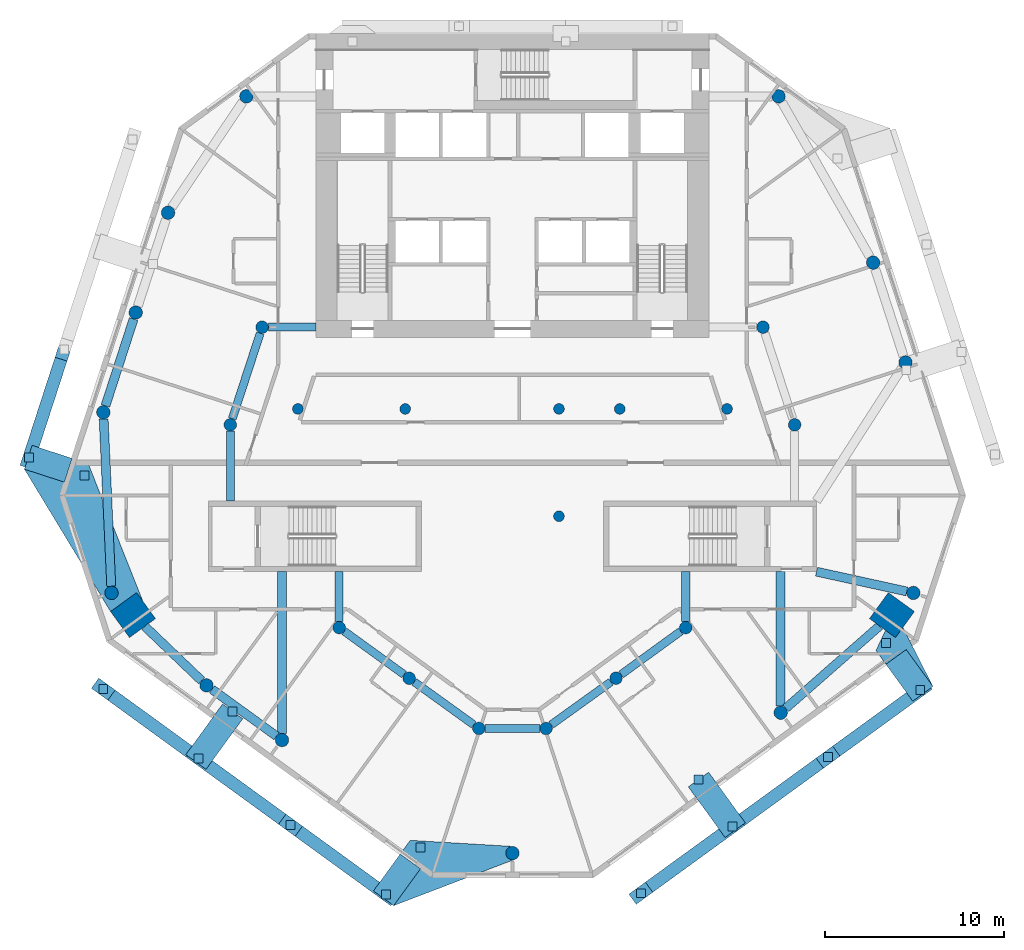
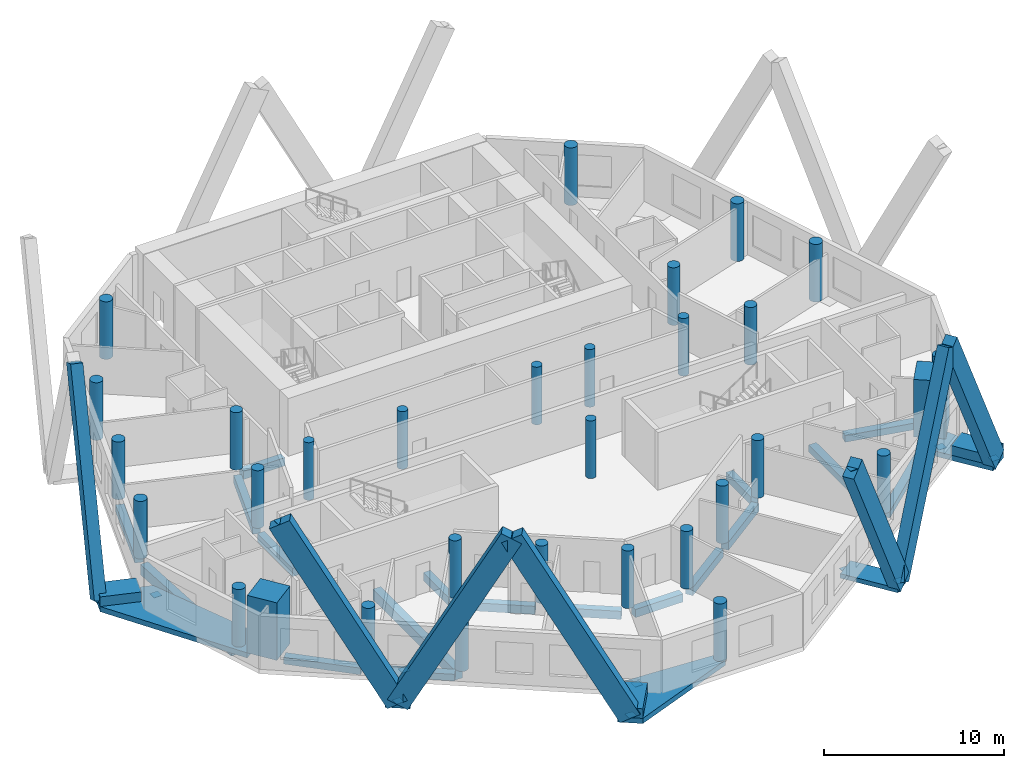
# One storey, part 1 of 10: 31 columns, 18 beams, 15 members, 14 discrete accessories.
"""IFC4 building model written with IfcOpenShell, lengths in metres."""

from ifc_helpers import new_model, si_unit, direction, frame, origin, origin_2d, place, context, subcontext, project, spatial, polyline, rectangle, circle, outline, extrude, material, layer, layer_set, material_profile, profile_set, type_object, element, aggregate, save


model = new_model("IFC4")

# Units and contexts
model_context = context("Model", 3, precision=1e-05, world=origin(), true_north=direction((0.0, 1.0)))
body_context = subcontext(model_context, "Body", "Model", "MODEL_VIEW")
ifc_project = project(units=[si_unit("LENGTHUNIT", "METRE"), si_unit("AREAUNIT", "SQUARE_METRE"), si_unit("VOLUMEUNIT", "CUBIC_METRE"), si_unit("PLANEANGLEUNIT", "RADIAN"), si_unit("MASSUNIT", "GRAM", prefix="KILO")], contexts=[model_context])

# Site, building, storey
site_placement = place(None, origin())
site = spatial("IfcSite", under=ifc_project, at=site_placement, CompositionType="ELEMENT")
building_placement = place(site_placement, origin())
building = spatial("IfcBuilding", under=site, at=building_placement, Name="White Candle Pilgrim Tower", CompositionType="ELEMENT")
storey_placement = place(building_placement, frame((0.0, 0.0, 160.300048828125)))
storey = spatial("IfcBuildingStorey", under=building, at=storey_placement, Name="L36", CompositionType="ELEMENT", Elevation=160.300048828125)

# Columns
ifc_material_1 = material(Name="Concrete C70/85", Category="concrete")
ifc_material_profile_1 = material_profile(ifc_material_1, circle(Radius=0.300048828125, at=origin_2d()), Name="RC-COL D600")
ifc_profile_set_1 = profile_set([ifc_material_profile_1], Name="Concrete C70/85")
column_type_1 = type_object("IfcColumnType", Name="Interior column RC-COL D600 C70/85", PredefinedType="COLUMN", material=ifc_profile_set_1)
for number, where, z_axis, x_axis, name in (
    (1, (58.0, 67.0, 0.0), (0.0, 0.0, 1.0), (1.0, 0.0, 0.0), "L36 column I01"),
    (2, (64.0, 67.0, 0.0), (0.0, 0.0, 1.0), (1.0, 0.0, 0.0), "L36 column I02"),
    (3, (72.60009765625, 61.0, 0.0), (0.0, 0.0, 1.0), (1.0, 0.0, 0.0), "L36 column I03"),
    (4, (72.60009765625, 67.0, 0.0), (0.0, 0.0, 1.0), (1.0, 0.0, 0.0), "L36 column I04"),
    (5, (76.0, 67.0, 0.0), (0.0, 0.0, 1.0), (1.0, 0.0, 0.0), "L36 column I05"),
    (6, (82.0, 67.0, 0.0), (0.0, 0.0, 1.0), (1.0, 0.0, 0.0), "L36 column I06"),
):
    element("IfcColumn", number, at=place(storey_placement, frame(where, z_axis=z_axis, x_axis=x_axis)), inside=storey, type_object=column_type_1, Name=name, PredefinedType="COLUMN", context=body_context, shape_type="SweptSolid", body=[
        extrude(circle(Radius=0.300048828125, at=origin_2d()), origin(), (0.0, 0.0, 1.0), 3.89990234375),
    ])
ifc_material_profile_2 = material_profile(ifc_material_1, rectangle(XDim=1.800048828125, YDim=1.800048828125, at=origin_2d()), Name="RC 1800x1800")
ifc_profile_set_2 = profile_set([ifc_material_profile_2], Name="Concrete C70/85")
column_type_2 = type_object("IfcColumnType", Name="Mega column RC 1800x1800 C70/85", PredefinedType="COLUMN", material=ifc_profile_set_2)
for number, where, z_axis, x_axis, name in (
    (7, (48.780029296875, 55.469970703125, 0.0), (0.0, 0.0, 1.0), (-0.809016994375, -0.587785252292, 0.0), "L36 mega column T02"),
    (8, (91.219970703125, 55.469970703125, 0.0), (0.0, 0.0, 1.0), (0.809016994375, -0.587785252292, 0.0), "L36 mega column T07"),
):
    element("IfcColumn", number, at=place(storey_placement, frame(where, z_axis=z_axis, x_axis=x_axis)), inside=storey, type_object=column_type_2, Name=name, PredefinedType="COLUMN", context=body_context, shape_type="SweptSolid", body=[
        extrude(rectangle(XDim=1.800048828125, YDim=1.800048828125, at=origin_2d()), origin(), (0.0, 0.0, 1.0), 3.89990234375),
    ])
ifc_material_profile_3 = material_profile(ifc_material_1, circle(Radius=0.375, at=origin_2d()), Name="RC-COL D750")
ifc_profile_set_3 = profile_set([ifc_material_profile_3], Name="Concrete C70/85")
column_type_3 = type_object("IfcColumnType", Name="Perimeter column RC-COL D750 C70/85", PredefinedType="COLUMN", material=ifc_profile_set_3)
for number, where, z_axis, x_axis, name in (
    (9, (47.580078125, 56.7099609375, 0.0), (0.0, 0.0, 1.0), (1.0, 0.0, 0.0), "L36 column T01"),
    (10, (52.889892578125, 51.5400390625, 0.0), (0.0, 0.0, 1.0), (1.0, 0.0, 0.0), "L36 column T03"),
    (11, (57.110107421875, 48.47998046875, 0.0), (0.0, 0.0, 1.0), (1.0, 0.0, 0.0), "L36 column T04"),
    (12, (70.0, 42.159912109375, 0.0), (0.0, 0.0, 1.0), (1.0, 0.0, 0.0), "L36 column T05"),
    (13, (85.0, 50.010009765625, 0.0), (0.0, 0.0, 1.0), (1.0, 0.0, 0.0), "L36 column T06"),
    (14, (92.419921875, 56.7099609375, 0.0), (0.0, 0.0, 1.0), (1.0, 0.0, 0.0), "L36 column T08"),
    (15, (91.97998046875, 69.60009765625, 0.0), (0.0, 0.0, 1.0), (1.0, 0.0, 0.0), "L36 column T09"),
    (16, (90.169921875, 75.179931640625, 0.0), (0.0, 0.0, 1.0), (1.0, 0.0, 0.0), "L36 column T10"),
    (17, (84.8798828125, 84.47998046875, 0.0), (0.0, 0.0, 1.0), (1.0, 0.0, 0.0), "L36 column T11"),
    (18, (55.1201171875, 84.47998046875, 0.0), (0.0, 0.0, 1.0), (1.0, 0.0, 0.0), "L36 column T12"),
    (19, (50.739990234375, 77.969970703125, 0.0), (0.0, 0.0, 1.0), (1.0, 0.0, 0.0), "L36 column T13"),
    (20, (48.929931640625, 72.389892578125, 0.0), (0.0, 0.0, 1.0), (1.0, 0.0, 0.0), "L36 column T14"),
    (21, (47.1201171875, 66.81005859375, 0.0), (0.0, 0.0, 1.0), (1.0, 0.0, 0.0), "L36 column T15"),
):
    element("IfcColumn", number, at=place(storey_placement, frame(where, z_axis=z_axis, x_axis=x_axis)), inside=storey, type_object=column_type_3, Name=name, PredefinedType="COLUMN", context=body_context, shape_type="SweptSolid", body=[
        extrude(circle(Radius=0.375, at=origin_2d()), origin(), (0.0, 0.0, 1.0), 3.89990234375),
    ])
ifc_material_profile_4 = material_profile(ifc_material_1, circle(Radius=0.35009765625, at=origin_2d()), Name="RC-COL D700")
ifc_profile_set_4 = profile_set([ifc_material_profile_4], Name="Concrete C70/85")
column_type_4 = type_object("IfcColumnType", Name="Ring column RC-COL D700 C70/85", PredefinedType="COLUMN", material=ifc_profile_set_4)
for number, where, z_axis, x_axis, name in (
    (22, (60.31005859375, 54.77001953125, 0.0), (0.0, 0.0, 1.0), (1.0, 0.0, 0.0), "L36 column R01"),
    (23, (64.219970703125, 51.93994140625, 0.0), (0.0, 0.0, 1.0), (1.0, 0.0, 0.0), "L36 column R02"),
    (24, (68.1201171875, 49.1298828125, 0.0), (0.0, 0.0, 1.0), (1.0, 0.0, 0.0), "L36 column R03"),
    (25, (71.8798828125, 49.1298828125, 0.0), (0.0, 0.0, 1.0), (1.0, 0.0, 0.0), "L36 column R04"),
    (26, (75.7900390625, 51.93994140625, 0.0), (0.0, 0.0, 1.0), (1.0, 0.0, 0.0), "L36 column R05"),
    (27, (79.68994140625, 54.77001953125, 0.0), (0.0, 0.0, 1.0), (1.0, 0.0, 0.0), "L36 column R06"),
    (28, (85.780029296875, 66.110107421875, 0.0), (0.0, 0.0, 1.0), (1.0, 0.0, 0.0), "L36 column R07"),
    (29, (84.010009765625, 71.570068359375, 0.0), (0.0, 0.0, 1.0), (1.0, 0.0, 0.0), "L36 column R08"),
    (30, (56.0, 71.570068359375, 0.0), (0.0, 0.0, 1.0), (1.0, 0.0, 0.0), "L36 column R09"),
    (31, (54.219970703125, 66.110107421875, 0.0), (0.0, 0.0, 1.0), (1.0, 0.0, 0.0), "L36 column R10"),
):
    element("IfcColumn", number, at=place(storey_placement, frame(where, z_axis=z_axis, x_axis=x_axis)), inside=storey, type_object=column_type_4, Name=name, PredefinedType="COLUMN", context=body_context, shape_type="SweptSolid", body=[
        extrude(circle(Radius=0.35009765625, at=origin_2d()), origin(), (0.0, 0.0, 1.0), 3.89990234375),
    ])

# Member
ifc_material_2 = material(Name="Concrete C70/85, white", Category="concrete")
ifc_material_profile_5 = material_profile(ifc_material_2, rectangle(XDim=0.699951171875, YDim=1.300048828125, at=origin_2d()), Name="RC-DG 700x1300")
ifc_profile_set_5 = profile_set([ifc_material_profile_5], Name="Concrete C70/85, white")
member_type_1 = type_object("IfcMemberType", Name="Exoskeleton diagonal RC-DG 700x1300 C70/85", PredefinedType="BRACE", material=ifc_profile_set_5)
member_1_placement = place(storey_placement, frame((82.310302734375, 43.645751953125, 0.0), z_axis=(-0.385723367101, -0.280235940966, 0.879025199561), x_axis=(0.587773598304, -0.809025461365, 0.0)))
member_1 = element("IfcMember", 32, at=member_1_placement, inside=storey, type_object=member_type_1, Name="Exoskeleton diagonal EX148", PredefinedType="BRACE", context=body_context, shape_type="SweptSolid", body=[
    extrude(rectangle(XDim=0.699951171875, YDim=1.300048828125, at=origin_2d()), origin(), (0.0, 0.0, 1.0), 13.31005859375),
])

member_2_placement = place(storey_placement, frame((82.310302734375, 43.645751953125, 0.0), z_axis=(0.397408262481, 0.288754862384, 0.871026579595), x_axis=(-0.58781304349, 0.808996802159, 0.0)))
member_2 = element("IfcMember", 33, at=member_2_placement, inside=storey, type_object=member_type_1, Name="Exoskeleton diagonal EX149", PredefinedType="BRACE", context=body_context, shape_type="SweptSolid", body=[
    extrude(rectangle(XDim=0.699951171875, YDim=1.300048828125, at=origin_2d()), origin(), (0.0, 0.0, 1.0), 13.432373046875),
])

member_3_placement = place(storey_placement, frame((92.80419921875, 51.270263671875, 0.0), z_axis=(-0.386982261686, -0.281156778154, 0.878177428108), x_axis=(0.587782115386, -0.809019273462, 0.0)))
member_3 = element("IfcMember", 34, at=member_3_placement, inside=storey, type_object=member_type_1, Name="Exoskeleton diagonal EX150", PredefinedType="BRACE", context=body_context, shape_type="SweptSolid", body=[
    extrude(rectangle(XDim=0.699951171875, YDim=1.300048828125, at=origin_2d()), origin(), (0.0, 0.0, 1.0), 13.322998046875),
])

member_4_placement = place(storey_placement, frame((52.442626953125, 47.4580078125, 0.0), z_axis=(-0.396803222412, 0.288296516572, 0.871454141774), x_axis=(-0.587788054918, -0.809014958141, 0.0)))
member_4 = element("IfcMember", 35, at=member_4_placement, inside=storey, type_object=member_type_1, Name="Exoskeleton diagonal EX160", PredefinedType="BRACE", context=body_context, shape_type="SweptSolid", body=[
    extrude(rectangle(XDim=0.699951171875, YDim=1.300048828125, at=origin_2d()), origin(), (0.0, 0.0, 1.0), 13.42578125),
])

member_5_placement = place(storey_placement, frame((52.442626953125, 47.4580078125, 0.0), z_axis=(0.386360074568, -0.280704142626, 0.878596083017), x_axis=(0.587781301557, 0.809019864738, 0.0)))
member_5 = element("IfcMember", 36, at=member_5_placement, inside=storey, type_object=member_type_1, Name="Exoskeleton diagonal EX161", PredefinedType="BRACE", context=body_context, shape_type="SweptSolid", body=[
    extrude(rectangle(XDim=0.699951171875, YDim=1.300048828125, at=origin_2d()), origin(), (0.0, 0.0, 1.0), 13.316650390625),
])

member_6_placement = place(storey_placement, frame((62.936767578125, 39.833740234375, 0.0), z_axis=(-0.39803187834, 0.289177153784, 0.870601629653), x_axis=(-0.587772037579, -0.809026595261, 0.0)))
member_6 = element("IfcMember", 37, at=member_6_placement, inside=storey, type_object=member_type_1, Name="Exoskeleton diagonal EX162", PredefinedType="BRACE", context=body_context, shape_type="SweptSolid", body=[
    extrude(rectangle(XDim=0.699951171875, YDim=1.300048828125, at=origin_2d()), origin(), (0.0, 0.0, 1.0), 13.43896484375),
])

member_7_placement = place(storey_placement, frame((42.968505859375, 64.2802734375, 0.0), z_axis=(0.147513051825, 0.453980814186, 0.878715721888), x_axis=(-0.951052980016, 0.30902787771, 0.0)))
member_7 = element("IfcMember", 38, at=member_7_placement, inside=storey, type_object=member_type_1, Name="Exoskeleton diagonal EX174", PredefinedType="BRACE", context=body_context, shape_type="SweptSolid", body=[
    extrude(rectangle(XDim=0.699951171875, YDim=1.300048828125, at=origin_2d()), origin(), (0.0, 0.0, 1.0), 13.31494140625),
])

ifc_layer_1 = layer(ifc_material_2, 0.300048828125)
ifc_layer_set_1 = layer_set([ifc_layer_1], Name="Node tie strut 3300x1400x300 C70/85")
member_type_2 = type_object("IfcMemberType", Name="Node tie strut 3300x1400x300 C70/85", PredefinedType="STRUT", material=ifc_layer_set_1)
member_8_placement = place(storey_placement, frame((0.0, 0.0, -0.35009765625)))
member_8 = element("IfcMember", 39, at=member_8_placement, inside=storey, type_object=member_type_2, Name="Node tie strut NC120", PredefinedType="STRUT", context=body_context, shape_type="SweptSolid", body=[
    extrude(outline(polyline([(47.52294921875, 55.669189453125), (48.97900390625, 56.72705078125), (49.33056640625, 56.243408203125), (46.275634765625, 63.941650390625), (43.13720703125, 64.96142578125), (42.70458984375, 63.6298828125), (47.52294921875, 55.669189453125)])), origin(), (0.0, 0.0, 1.0), 0.35009765625),
])

member_9_placement = place(storey_placement, origin())
element("IfcMember", 40, at=member_9_placement, inside=storey, type_object=member_type_2, Name="Node tie strut NC120", PredefinedType="STRUT", context=body_context, shape_type="SweptSolid", body=[
    extrude(outline(polyline([(44.939697265625, 62.90380859375), (45.372314453125, 64.235107421875), (43.13720703125, 64.96142578125), (42.70458984375, 63.6298828125), (44.939697265625, 62.90380859375)])), origin(), (0.0, 0.0, 1.0), 0.64990234375),
])

ifc_layer_2 = layer(ifc_material_2, 0.300048828125)
ifc_layer_set_2 = layer_set([ifc_layer_2], Name="Node tie strut 3500x1400x300 C70/85")
member_type_3 = type_object("IfcMemberType", Name="Node tie strut 3500x1400x300 C70/85", PredefinedType="STRUT", material=ifc_layer_set_2)
member_10_placement = place(storey_placement, frame((81.4287109375, 44.859375, -0.30029296875), z_axis=(0.0, 0.0, 1.0), x_axis=(0.809016994375, 0.587785252292, 0.0)))
member_10 = element("IfcMember", 41, at=member_10_placement, inside=storey, type_object=member_type_3, Name="Node tie strut NC115", PredefinedType="STRUT", context=body_context, shape_type="SweptSolid", body=[
    extrude(rectangle(XDim=1.39990234375, YDim=3.5, at=origin_2d()), origin(), (0.0, 0.0, 1.0), 0.300048828125),
])

member_11_placement = place(storey_placement, frame((0.0, 0.0, -0.35009765625)))
member_11 = element("IfcMember", 42, at=member_11_placement, inside=storey, type_object=member_type_3, Name="Node tie strut NC116", PredefinedType="STRUT", context=body_context, shape_type="SweptSolid", body=[
    extrude(outline(polyline([(92.385009765625, 50.656494140625), (93.517578125, 51.4794921875), (91.83203125, 54.78125), (91.419189453125, 54.212890625), (90.86181640625, 54.617919921875), (90.32763671875, 53.488037109375), (92.385009765625, 50.656494140625)])), origin(), (0.0, 0.0, 1.0), 0.35009765625),
])

member_12_placement = place(storey_placement, origin())
element("IfcMember", 43, at=member_12_placement, inside=storey, type_object=member_type_3, Name="Node tie strut NC116", PredefinedType="STRUT", context=body_context, shape_type="SweptSolid", body=[
    extrude(outline(polyline([(92.385009765625, 50.656494140625), (93.517578125, 51.4794921875), (92.018798828125, 53.542236328125), (90.885986328125, 52.719482421875), (92.385009765625, 50.656494140625)])), origin(), (0.0, 0.0, 1.0), 0.64990234375),
])

member_13_placement = place(storey_placement, frame((53.324462890625, 48.67138671875, -0.30029296875), z_axis=(0.0, 0.0, 1.0), x_axis=(0.809016994375, -0.587785252292, 0.0)))
member_13 = element("IfcMember", 44, at=member_13_placement, inside=storey, type_object=member_type_3, Name="Node tie strut NC117", PredefinedType="STRUT", context=body_context, shape_type="SweptSolid", body=[
    extrude(rectangle(XDim=1.39990234375, YDim=3.5, at=origin_2d()), origin(), (0.0, 0.0, 1.0), 0.300048828125),
])

member_14_placement = place(storey_placement, frame((0.0, 0.0, -0.35009765625)))
member_14 = element("IfcMember", 45, at=member_14_placement, inside=storey, type_object=member_type_3, Name="Node tie strut NC118", PredefinedType="STRUT", context=body_context, shape_type="SweptSolid", body=[
    extrude(outline(polyline([(63.35595703125, 39.219970703125), (70.1435546875, 41.8134765625), (70.12060546875, 41.804931640625), (70.09716796875, 41.7978515625), (70.0732421875, 41.792236328125), (70.048828125, 41.7880859375), (70.0244140625, 41.785888671875), (70.0, 41.784912109375), (69.9755859375, 41.785888671875), (69.951171875, 41.7880859375), (69.9267578125, 41.792236328125), (69.90283203125, 41.7978515625), (69.87939453125, 41.804931640625), (69.8564453125, 41.8134765625), (69.833984375, 41.82373046875), (69.8125, 41.835205078125), (69.791748046875, 41.84814453125), (69.771728515625, 41.862548828125), (69.752685546875, 41.878173828125), (69.73486328125, 41.894775390625), (69.718017578125, 41.91259765625), (69.702392578125, 41.931640625), (69.688232421875, 41.95166015625), (69.67529296875, 41.972412109375), (69.663818359375, 41.994140625), (69.653564453125, 42.0166015625), (69.64501953125, 42.03955078125), (69.6376953125, 42.06298828125), (69.632080078125, 42.0869140625), (69.628173828125, 42.111083984375), (69.625732421875, 42.135498046875), (69.625, 42.159912109375), (69.625732421875, 42.1845703125), (69.628173828125, 42.208984375), (69.632080078125, 42.233154296875), (69.6376953125, 42.257080078125), (69.64501953125, 42.280517578125), (69.653564453125, 42.303466796875), (69.663818359375, 42.325927734375), (69.67529296875, 42.347412109375), (69.688232421875, 42.368408203125), (69.702392578125, 42.38818359375), (69.718017578125, 42.4072265625), (69.73486328125, 42.42529296875), (69.752685546875, 42.44189453125), (69.771728515625, 42.45751953125), (69.791748046875, 42.4716796875), (69.8125, 42.48486328125), (69.833984375, 42.496337890625), (69.8564453125, 42.506591796875), (69.87939453125, 42.51513671875), (69.90283203125, 42.522216796875), (69.9267578125, 42.52783203125), (69.951171875, 42.53173828125), (69.9755859375, 42.5341796875), (70.0, 42.534912109375), (70.0244140625, 42.5341796875), (64.280517578125, 42.87451171875), (62.223388671875, 40.04296875), (63.35595703125, 39.219970703125)])), origin(), (0.0, 0.0, 1.0), 0.35009765625),
])

member_15_placement = place(storey_placement, origin())
element("IfcMember", 46, at=member_15_placement, inside=storey, type_object=member_type_3, Name="Node tie strut NC118", PredefinedType="STRUT", context=body_context, shape_type="SweptSolid", body=[
    extrude(outline(polyline([(63.35595703125, 39.219970703125), (64.85498046875, 41.282958984375), (63.72216796875, 42.10595703125), (62.223388671875, 40.04296875), (63.35595703125, 39.219970703125)])), origin(), (0.0, 0.0, 1.0), 0.64990234375),
])

# Beams
ifc_material_3 = material(Name="Concrete C50/60", Category="concrete")
ifc_material_profile_6 = material_profile(ifc_material_3, rectangle(XDim=0.449951171875, YDim=0.550048828125, at=origin_2d()), Name="RC-BM 450x550")
ifc_profile_set_6 = profile_set([ifc_material_profile_6], Name="Concrete C50/60")
beam_type_1 = type_object("IfcBeamType", Name="Ring beam RC-BM 450x550 C50/60", PredefinedType="BEAM", material=ifc_profile_set_6)
beam_1_placement = place(storey_placement, frame((60.593505859375, 54.56494140625, -0.574951171875), z_axis=(0.810043858436, -0.586369292691, 0.0), x_axis=(0.586369292691, 0.810043858436, 0.0)))
element("IfcBeam", 47, at=beam_1_placement, inside=storey, type_object=beam_type_1, Name="L36 ring beam R01", PredefinedType="BEAM", context=body_context, shape_type="SweptSolid", body=[
    extrude(rectangle(XDim=0.449951171875, YDim=0.550048828125, at=origin_2d()), origin(), (0.0, 0.0, 1.0), 4.126953125),
])
beam_2_placement = place(storey_placement, frame((64.50390625, 51.735595703125, -0.574951171875), z_axis=(0.811316688041, -0.584606903574, 0.0), x_axis=(0.584606903574, 0.811316688041, 0.0)))
element("IfcBeam", 48, at=beam_2_placement, inside=storey, type_object=beam_type_1, Name="L36 ring beam R02", PredefinedType="BEAM", context=body_context, shape_type="SweptSolid", body=[
    extrude(rectangle(XDim=0.449951171875, YDim=0.550048828125, at=origin_2d()), origin(), (0.0, 0.0, 1.0), 4.107177734375),
])
beam_3_placement = place(storey_placement, frame((68.469970703125, 49.1298828125, -0.574951171875), z_axis=(1.0, 0.0, 0.0), x_axis=(0.0, 1.0, 0.0)))
element("IfcBeam", 49, at=beam_3_placement, inside=storey, type_object=beam_type_1, Name="L36 ring beam R03", PredefinedType="BEAM", context=body_context, shape_type="SweptSolid", body=[
    extrude(rectangle(XDim=0.449951171875, YDim=0.550048828125, at=origin_2d()), origin(), (0.0, 0.0, 1.0), 3.06005859375),
])
beam_4_placement = place(storey_placement, frame((72.1640625, 49.333984375, -0.574951171875), z_axis=(0.812022399974, 0.583626269063, 0.0), x_axis=(-0.583626269063, 0.812022399974, 0.0)))
element("IfcBeam", 50, at=beam_4_placement, inside=storey, type_object=beam_type_1, Name="L36 ring beam R04", PredefinedType="BEAM", context=body_context, shape_type="SweptSolid", body=[
    extrude(rectangle(XDim=0.449951171875, YDim=0.550048828125, at=origin_2d()), origin(), (0.0, 0.0, 1.0), 4.115478515625),
])
beam_5_placement = place(storey_placement, frame((76.072998046875, 52.1455078125, -0.574951171875), z_axis=(0.809401961177, 0.587255025728, 0.0), x_axis=(-0.587255025728, 0.809401961177, 0.0)))
element("IfcBeam", 51, at=beam_5_placement, inside=storey, type_object=beam_type_1, Name="L36 ring beam R05", PredefinedType="BEAM", context=body_context, shape_type="SweptSolid", body=[
    extrude(rectangle(XDim=0.449951171875, YDim=0.550048828125, at=origin_2d()), origin(), (0.0, 0.0, 1.0), 4.119140625),
])
beam_6_placement = place(storey_placement, frame((79.68994140625, 55.1201171875, -0.574951171875), z_axis=(0.0, 1.0, 0.0), x_axis=(-1.0, 0.0, 0.0)))
element("IfcBeam", 52, at=beam_6_placement, inside=storey, type_object=beam_type_1, Name="L36 ring beam R06", PredefinedType="BEAM", context=body_context, shape_type="SweptSolid", body=[
    extrude(rectangle(XDim=0.449951171875, YDim=0.550048828125, at=origin_2d()), origin(), (0.0, 0.0, 1.0), 2.77978515625),
])
beam_7_placement = place(storey_placement, frame((56.35009765625, 71.570068359375, -0.574951171875), z_axis=(1.0, 0.0, 0.0), x_axis=(0.0, 1.0, 0.0)))
element("IfcBeam", 53, at=beam_7_placement, inside=storey, type_object=beam_type_1, Name="L36 ring beam R10", PredefinedType="BEAM", context=body_context, shape_type="SweptSolid", body=[
    extrude(rectangle(XDim=0.449951171875, YDim=0.550048828125, at=origin_2d()), origin(), (0.0, 0.0, 1.0), 2.64990234375),
])
beam_8_placement = place(storey_placement, frame((55.8916015625, 71.2373046875, -0.574951171875), z_axis=(-0.309975890104, -0.950744417577, 0.0), x_axis=(0.950744417577, -0.309975890104, 0.0)))
element("IfcBeam", 54, at=beam_8_placement, inside=storey, type_object=beam_type_1, Name="L36 ring beam R11", PredefinedType="BEAM", context=body_context, shape_type="SweptSolid", body=[
    extrude(rectangle(XDim=0.449951171875, YDim=0.550048828125, at=origin_2d()), origin(), (0.0, 0.0, 1.0), 5.04296875),
])
beam_9_placement = place(storey_placement, frame((54.219970703125, 65.760009765625, -0.574951171875), z_axis=(0.0, -1.0, 0.0), x_axis=(1.0, 0.0, 0.0)))
element("IfcBeam", 55, at=beam_9_placement, inside=storey, type_object=beam_type_1, Name="L36 ring beam R12", PredefinedType="BEAM", context=body_context, shape_type="SweptSolid", body=[
    extrude(rectangle(XDim=0.449951171875, YDim=0.550048828125, at=origin_2d()), origin(), (0.0, 0.0, 1.0), 3.909912109375),
])
beam_10_placement = place(storey_placement, frame((60.31005859375, 55.1201171875, -0.574951171875), z_axis=(0.0, 1.0, 0.0), x_axis=(-1.0, 0.0, 0.0)))
element("IfcBeam", 56, at=beam_10_placement, inside=storey, type_object=beam_type_1, Name="L36 ring beam R13", PredefinedType="BEAM", context=body_context, shape_type="SweptSolid", body=[
    extrude(rectangle(XDim=0.449951171875, YDim=0.550048828125, at=origin_2d()), origin(), (0.0, 0.0, 1.0), 2.77978515625),
])
ifc_material_profile_7 = material_profile(ifc_material_3, rectangle(XDim=0.5, YDim=0.449951171875, at=origin_2d()), Name="RC-BM 500x450")
ifc_profile_set_7 = profile_set([ifc_material_profile_7], Name="Concrete C50/60")
beam_type_2 = type_object("IfcBeamType", Name="Spandrel beam RC-BM 500x450 C50/60", PredefinedType="BEAM", material=ifc_profile_set_7)
beam_11_placement = place(storey_placement, frame((49.441162109375, 54.837890625, -0.525146484375), z_axis=(0.722753991569, -0.691105395487, 0.0), x_axis=(0.691105395487, 0.722753991569, 0.0)))
element("IfcBeam", 57, at=beam_11_placement, inside=storey, type_object=beam_type_2, Name="L36 spandrel beam T01", PredefinedType="BEAM", context=body_context, shape_type="SweptSolid", body=[
    extrude(rectangle(XDim=0.5, YDim=0.449951171875, at=origin_2d()), origin(), (0.0, 0.0, 1.0), 4.39697265625),
])
beam_12_placement = place(storey_placement, frame((53.193359375, 51.320068359375, -0.525146484375), z_axis=(0.809558451789, -0.587039277338, 0.0), x_axis=(0.587039277338, 0.809558451789, 0.0)))
element("IfcBeam", 58, at=beam_12_placement, inside=storey, type_object=beam_type_2, Name="L36 spandrel beam T02", PredefinedType="BEAM", context=body_context, shape_type="SweptSolid", body=[
    extrude(rectangle(XDim=0.5, YDim=0.449951171875, at=origin_2d()), origin(), (0.0, 0.0, 1.0), 4.46337890625),
])
beam_13_placement = place(storey_placement, frame((85.0, 50.385009765625, -0.525146484375), z_axis=(0.0, 1.0, 0.0), x_axis=(-1.0, 0.0, 0.0)))
element("IfcBeam", 59, at=beam_13_placement, inside=storey, type_object=beam_type_2, Name="L36 spandrel beam T04", PredefinedType="BEAM", context=body_context, shape_type="SweptSolid", body=[
    extrude(rectangle(XDim=0.5, YDim=0.449951171875, at=origin_2d()), origin(), (0.0, 0.0, 1.0), 7.514892578125),
])
beam_14_placement = place(storey_placement, frame((85.28173828125, 50.25732421875, -0.525146484375), z_axis=(0.751529055224, 0.65969999178, 0.0), x_axis=(-0.65969999178, 0.751529055224, 0.0)))
element("IfcBeam", 60, at=beam_14_placement, inside=storey, type_object=beam_type_2, Name="L36 spandrel beam T05", PredefinedType="BEAM", context=body_context, shape_type="SweptSolid", body=[
    extrude(rectangle(XDim=0.5, YDim=0.449951171875, at=origin_2d()), origin(), (0.0, 0.0, 1.0), 6.97900390625),
])
beam_15_placement = place(storey_placement, frame((92.053955078125, 56.790283203125, -0.525146484375), z_axis=(-0.976735666267, 0.214446819148, 0.0), x_axis=(-0.214446819148, -0.976735666267, 0.0)))
element("IfcBeam", 61, at=beam_15_placement, inside=storey, type_object=beam_type_2, Name="L36 spandrel beam T06", PredefinedType="BEAM", context=body_context, shape_type="SweptSolid", body=[
    extrude(rectangle(XDim=0.5, YDim=0.449951171875, at=origin_2d()), origin(), (0.0, 0.0, 1.0), 5.17431640625),
])
beam_16_placement = place(storey_placement, frame((48.814208984375, 72.033447265625, -0.525146484375), z_axis=(-0.308530369215, -0.951214492779, 0.0), x_axis=(0.951214492779, -0.308530369215, 0.0)))
element("IfcBeam", 62, at=beam_16_placement, inside=storey, type_object=beam_type_2, Name="L36 spandrel beam T14", PredefinedType="BEAM", context=body_context, shape_type="SweptSolid", body=[
    extrude(rectangle(XDim=0.5, YDim=0.449951171875, at=origin_2d()), origin(), (0.0, 0.0, 1.0), 5.116455078125),
])
ifc_material_profile_8 = material_profile(ifc_material_3, rectangle(XDim=0.5, YDim=0.699951171875, at=origin_2d()), Name="RC-BM 500x700")
ifc_profile_set_8 = profile_set([ifc_material_profile_8], Name="Concrete C50/60")
beam_type_3 = type_object("IfcBeamType", Name="Spandrel beam RC-BM 500x700 C50/60", PredefinedType="BEAM", material=ifc_profile_set_8)
beam_17_placement = place(storey_placement, frame((57.110107421875, 48.85498046875, -0.650146484375), z_axis=(0.0, 1.0, 0.0), x_axis=(-1.0, 0.0, 0.0)))
element("IfcBeam", 63, at=beam_17_placement, inside=storey, type_object=beam_type_3, Name="L36 spandrel beam T03", PredefinedType="BEAM", context=body_context, shape_type="SweptSolid", body=[
    extrude(rectangle(XDim=0.5, YDim=0.699951171875, at=origin_2d()), origin(), (0.0, 0.0, 1.0), 9.044921875),
])
beam_18_placement = place(storey_placement, frame((47.13720703125, 66.435546875, -0.650146484375), z_axis=(0.045485743277, -0.998964987954, 0.0), x_axis=(0.998964987954, 0.045485743277, 0.0)))
element("IfcBeam", 64, at=beam_18_placement, inside=storey, type_object=beam_type_3, Name="L36 spandrel beam T15", PredefinedType="BEAM", context=body_context, shape_type="SweptSolid", body=[
    extrude(rectangle(XDim=0.5, YDim=0.699951171875, at=origin_2d()), origin(), (0.0, 0.0, 1.0), 9.36083984375),
])

# Discrete accessory
ifc_material_4 = material(Name="Steel S355", Category="steel")
ifc_layer_3 = layer(ifc_material_4, 0.02490234375)
ifc_layer_set_3 = layer_set([ifc_layer_3], Name="Gusset plate 500x500x25 S355")
discrete_accessory_type = type_object("IfcDiscreteAccessoryType", Name="Gusset plate 500x500x25 S355", PredefinedType="BRACKET", material=ifc_layer_set_3)
discrete_accessory_1_placement = place(storey_placement, frame((82.310302734375, 43.645751953125, -0.012451171875), z_axis=(0.0, 0.0, 1.0), x_axis=(1.0, 0.0, 0.0)))
discrete_accessory_1 = element("IfcDiscreteAccessory", 65, at=discrete_accessory_1_placement, type_object=discrete_accessory_type, Name="Gusset plate 0165", PredefinedType="BRACKET", context=body_context, shape_type="SweptSolid", body=[
    extrude(rectangle(XDim=0.5, YDim=0.5, at=origin_2d()), origin(), (0.0, 0.0, 1.0), 0.02490234375),
])

placement = place(building_placement, frame((0.0, 0.0, 172.0)))
discrete_accessory_2_placement = place(placement, frame((77.17626953125, 39.915771484375, -0.012451171875), z_axis=(0.0, 0.0, 1.0), x_axis=(1.0, 0.0, 0.0)))
discrete_accessory_2 = element("IfcDiscreteAccessory", 66, at=discrete_accessory_2_placement, type_object=discrete_accessory_type, Name="Gusset plate 0166", PredefinedType="BRACKET", context=body_context, shape_type="SweptSolid", body=[
    extrude(rectangle(XDim=0.5, YDim=0.5, at=origin_2d()), origin(), (0.0, 0.0, 1.0), 0.02490234375),
])

aggregate(member_1, [discrete_accessory_1, discrete_accessory_2])

discrete_accessory_3_placement = place(placement, frame((87.6484375, 47.5244140625, -0.012451171875), z_axis=(0.0, 0.0, 1.0), x_axis=(1.0, 0.0, 0.0)))
discrete_accessory_3 = element("IfcDiscreteAccessory", 67, at=discrete_accessory_3_placement, type_object=discrete_accessory_type, Name="Gusset plate 0167", PredefinedType="BRACKET", context=body_context, shape_type="SweptSolid", body=[
    extrude(rectangle(XDim=0.5, YDim=0.5, at=origin_2d()), origin(), (0.0, 0.0, 1.0), 0.02490234375),
])

aggregate(member_2, [discrete_accessory_3])

discrete_accessory_4_placement = place(storey_placement, frame((92.80419921875, 51.270263671875, -0.012451171875), z_axis=(0.0, 0.0, 1.0), x_axis=(1.0, 0.0, 0.0)))
discrete_accessory_4 = element("IfcDiscreteAccessory", 68, at=discrete_accessory_4_placement, type_object=discrete_accessory_type, Name="Gusset plate 0168", PredefinedType="BRACKET", context=body_context, shape_type="SweptSolid", body=[
    extrude(rectangle(XDim=0.5, YDim=0.5, at=origin_2d()), origin(), (0.0, 0.0, 1.0), 0.02490234375),
])

aggregate(member_3, [discrete_accessory_4])

discrete_accessory_5_placement = place(storey_placement, frame((52.442626953125, 47.4580078125, -0.012451171875), z_axis=(0.0, 0.0, 1.0), x_axis=(1.0, 0.0, 0.0)))
discrete_accessory_5 = element("IfcDiscreteAccessory", 69, at=discrete_accessory_5_placement, type_object=discrete_accessory_type, Name="Gusset plate 0181", PredefinedType="BRACKET", context=body_context, shape_type="SweptSolid", body=[
    extrude(rectangle(XDim=0.5, YDim=0.5, at=origin_2d()), origin(), (0.0, 0.0, 1.0), 0.02490234375),
])

discrete_accessory_6_placement = place(placement, frame((47.115234375, 51.32861328125, -0.012451171875), z_axis=(0.0, 0.0, 1.0), x_axis=(1.0, 0.0, 0.0)))
discrete_accessory_6 = element("IfcDiscreteAccessory", 70, at=discrete_accessory_6_placement, type_object=discrete_accessory_type, Name="Gusset plate 0182", PredefinedType="BRACKET", context=body_context, shape_type="SweptSolid", body=[
    extrude(rectangle(XDim=0.5, YDim=0.5, at=origin_2d()), origin(), (0.0, 0.0, 1.0), 0.02490234375),
])

aggregate(member_4, [discrete_accessory_5, discrete_accessory_6])

discrete_accessory_7_placement = place(placement, frame((57.587646484375, 43.719970703125, -0.012451171875), z_axis=(0.0, 0.0, 1.0), x_axis=(1.0, 0.0, 0.0)))
discrete_accessory_7 = element("IfcDiscreteAccessory", 71, at=discrete_accessory_7_placement, type_object=discrete_accessory_type, Name="Gusset plate 0183", PredefinedType="BRACKET", context=body_context, shape_type="SweptSolid", body=[
    extrude(rectangle(XDim=0.5, YDim=0.5, at=origin_2d()), origin(), (0.0, 0.0, 1.0), 0.02490234375),
])

aggregate(member_5, [discrete_accessory_7])

discrete_accessory_8_placement = place(storey_placement, frame((62.936767578125, 39.833740234375, -0.012451171875), z_axis=(0.0, 0.0, 1.0), x_axis=(1.0, 0.0, 0.0)))
discrete_accessory_8 = element("IfcDiscreteAccessory", 72, at=discrete_accessory_8_placement, type_object=discrete_accessory_type, Name="Gusset plate 0184", PredefinedType="BRACKET", context=body_context, shape_type="SweptSolid", body=[
    extrude(rectangle(XDim=0.5, YDim=0.5, at=origin_2d()), origin(), (0.0, 0.0, 1.0), 0.02490234375),
])

aggregate(member_6, [discrete_accessory_8])

discrete_accessory_9_placement = place(storey_placement, frame((42.968505859375, 64.2802734375, -0.012451171875), z_axis=(0.0, 0.0, 1.0), x_axis=(1.0, 0.0, 0.0)))
discrete_accessory_9 = element("IfcDiscreteAccessory", 73, at=discrete_accessory_9_placement, type_object=discrete_accessory_type, Name="Gusset plate 0199", PredefinedType="BRACKET", context=body_context, shape_type="SweptSolid", body=[
    extrude(rectangle(XDim=0.5, YDim=0.5, at=origin_2d()), origin(), (0.0, 0.0, 1.0), 0.02490234375),
])

aggregate(member_7, [discrete_accessory_9])

discrete_accessory_10_placement = place(storey_placement, frame((80.400146484375, 46.275146484375, -0.16259765625), z_axis=(0.0, 0.0, 1.0), x_axis=(1.0, 0.0, 0.0)))
discrete_accessory_10 = element("IfcDiscreteAccessory", 74, at=discrete_accessory_10_placement, type_object=discrete_accessory_type, Name="Gusset plate 0496", PredefinedType="BRACKET", context=body_context, shape_type="SweptSolid", body=[
    extrude(rectangle(XDim=0.5, YDim=0.5, at=origin_2d()), origin(), (0.0, 0.0, 1.0), 0.02490234375),
])

aggregate(member_10, [discrete_accessory_10])

discrete_accessory_11_placement = place(storey_placement, frame((90.89404296875, 53.8994140625, -0.16259765625), z_axis=(0.0, 0.0, 1.0), x_axis=(1.0, 0.0, 0.0)))
discrete_accessory_11 = element("IfcDiscreteAccessory", 75, at=discrete_accessory_11_placement, type_object=discrete_accessory_type, Name="Gusset plate 0497", PredefinedType="BRACKET", context=body_context, shape_type="SweptSolid", body=[
    extrude(rectangle(XDim=0.5, YDim=0.5, at=origin_2d()), origin(), (0.0, 0.0, 1.0), 0.02490234375),
])

aggregate(member_11, [discrete_accessory_11])

discrete_accessory_12_placement = place(storey_placement, frame((54.35302734375, 50.08740234375, -0.16259765625), z_axis=(0.0, 0.0, 1.0), x_axis=(1.0, 0.0, 0.0)))
discrete_accessory_12 = element("IfcDiscreteAccessory", 76, at=discrete_accessory_12_placement, type_object=discrete_accessory_type, Name="Gusset plate 0498", PredefinedType="BRACKET", context=body_context, shape_type="SweptSolid", body=[
    extrude(rectangle(XDim=0.5, YDim=0.5, at=origin_2d()), origin(), (0.0, 0.0, 1.0), 0.02490234375),
])

aggregate(member_13, [discrete_accessory_12])

discrete_accessory_13_placement = place(storey_placement, frame((64.846923828125, 42.462890625, -0.16259765625), z_axis=(0.0, 0.0, 1.0), x_axis=(1.0, 0.0, 0.0)))
discrete_accessory_13 = element("IfcDiscreteAccessory", 77, at=discrete_accessory_13_placement, type_object=discrete_accessory_type, Name="Gusset plate 0499", PredefinedType="BRACKET", context=body_context, shape_type="SweptSolid", body=[
    extrude(rectangle(XDim=0.5, YDim=0.5, at=origin_2d()), origin(), (0.0, 0.0, 1.0), 0.02490234375),
])

aggregate(member_14, [discrete_accessory_13])

discrete_accessory_14_placement = place(storey_placement, frame((46.059326171875, 63.27587890625, -0.16259765625), z_axis=(0.0, 0.0, 1.0), x_axis=(1.0, 0.0, 0.0)))
discrete_accessory_14 = element("IfcDiscreteAccessory", 78, at=discrete_accessory_14_placement, type_object=discrete_accessory_type, Name="Gusset plate 0501", PredefinedType="BRACKET", context=body_context, shape_type="SweptSolid", body=[
    extrude(rectangle(XDim=0.5, YDim=0.5, at=origin_2d()), origin(), (0.0, 0.0, 1.0), 0.02490234375),
])

aggregate(member_8, [discrete_accessory_14])

save(model, "model.ifc")
